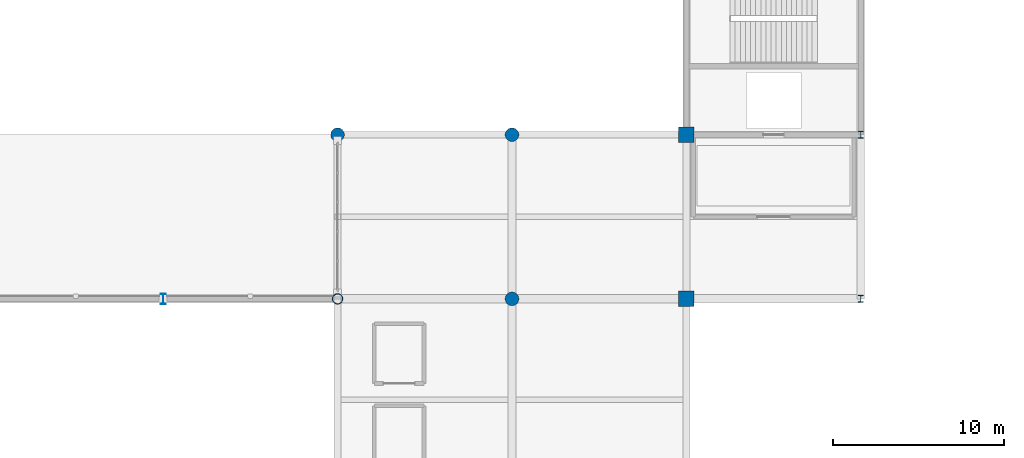
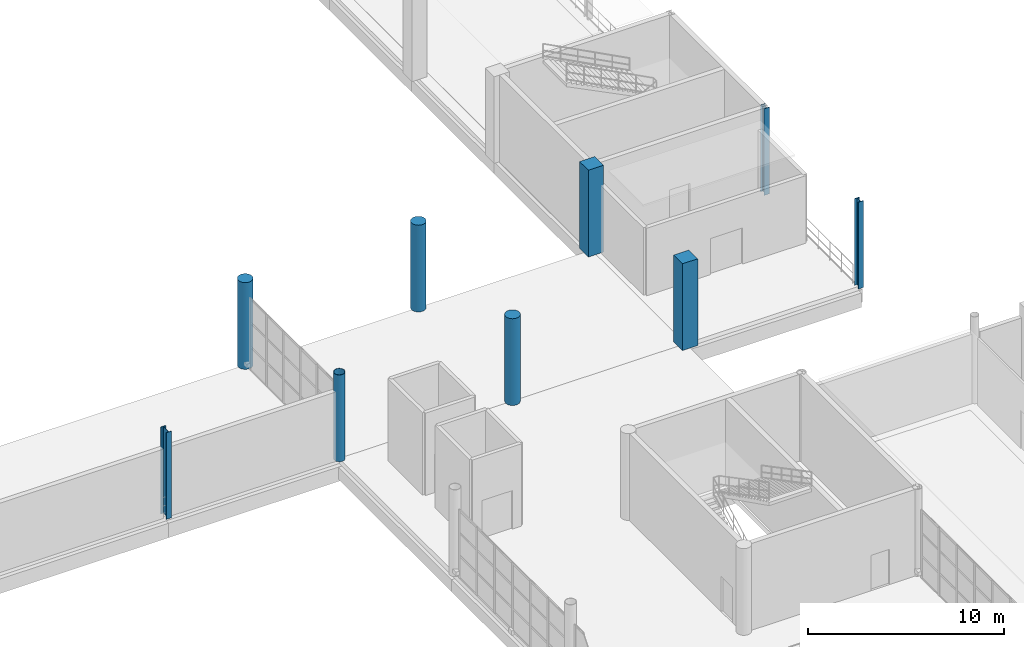
# One storey, part 14 of 175: 9 columns.
"""IFC4 building model written with IfcOpenShell, lengths in metres."""

from ifc_helpers import new_model, si_unit, direction, frame, origin, origin_2d, place, context, subcontext, project, spatial, rectangle, circle, hollow_circle, i_section, extrude, material, material_profile, profile_set, type_object, element, save


model = new_model("IFC4")

# Units and contexts
model_context = context("Model", 3, precision=1e-05, world=origin(), true_north=direction((0.0, 1.0)))
body_context = subcontext(model_context, "Body", "Model", "MODEL_VIEW")
ifc_project = project(units=[si_unit("LENGTHUNIT", "METRE"), si_unit("AREAUNIT", "SQUARE_METRE"), si_unit("VOLUMEUNIT", "CUBIC_METRE"), si_unit("PLANEANGLEUNIT", "RADIAN"), si_unit("MASSUNIT", "GRAM", prefix="KILO")], contexts=[model_context])

# Site, building, storey
site_placement = place(None, origin())
site = spatial("IfcSite", under=ifc_project, at=site_placement, CompositionType="ELEMENT")
building_placement = place(site_placement, origin())
building = spatial("IfcBuilding", under=site, at=building_placement, Name="Brelvane Convention Centre", CompositionType="ELEMENT")
storey_placement = place(building_placement, frame((0.0, 0.0, 5.39990234375)))
storey = spatial("IfcBuildingStorey", under=building, at=storey_placement, Name="L01", CompositionType="ELEMENT", Elevation=5.39990234375)

# Columns
ifc_material_1 = material(Name="Concrete M50", Category="concrete")
ifc_material_profile_1 = material_profile(ifc_material_1, rectangle(XDim=0.89990234375, YDim=0.89990234375, at=origin_2d()), Name="RC 900x900")
ifc_profile_set_1 = profile_set([ifc_material_profile_1], Name="Concrete M50")
column_type_1 = type_object("IfcColumnType", Name="RC Column C-RC2 (RC 900x900)", PredefinedType="COLUMN", material=ifc_profile_set_1)
for number, where, z_axis, x_axis, name in (
    (1, (163.199951171875, 99.60009765625, 0.0), (0.0, 0.0, 1.0), (1.0, 0.0, 0.0), "Column 17-K (L01)"),
    (2, (163.199951171875, 109.199951171875, 0.0), (0.0, 0.0, 1.0), (1.0, 0.0, 0.0), "Column 17-L (L01)"),
):
    element("IfcColumn", number, at=place(storey_placement, frame(where, z_axis=z_axis, x_axis=x_axis)), inside=storey, type_object=column_type_1, Name=name, PredefinedType="COLUMN", context=body_context, shape_type="SweptSolid", body=[
        extrude(rectangle(XDim=0.89990234375, YDim=0.89990234375, at=origin_2d()), origin(), (0.0, 0.0, 1.0), 5.400146484375),
    ])
ifc_material_2 = material(Name="Concrete M50", Category="concrete")
ifc_material_profile_2 = material_profile(ifc_material_2, circle(Radius=0.39990234375, at=origin_2d()), Name="RC-CIRC D800")
ifc_profile_set_2 = profile_set([ifc_material_profile_2], Name="Concrete M50")
column_type_2 = type_object("IfcColumnType", Name="RC Column C-RC7 (RC-CIRC D800)", PredefinedType="COLUMN", material=ifc_profile_set_2)
for number, where, z_axis, x_axis, name in (
    (3, (142.800048828125, 109.199951171875, 0.0), (0.0, 0.0, 1.0), (1.0, 0.0, 0.0), "Column 15-L (L01)"),
    (4, (153.0, 99.60009765625, 0.0), (0.0, 0.0, 1.0), (1.0, 0.0, 0.0), "Column 16-K (L01)"),
    (5, (153.0, 109.199951171875, 0.0), (0.0, 0.0, 1.0), (1.0, 0.0, 0.0), "Column 16-L (L01)"),
):
    element("IfcColumn", number, at=place(storey_placement, frame(where, z_axis=z_axis, x_axis=x_axis)), inside=storey, type_object=column_type_2, Name=name, PredefinedType="COLUMN", context=body_context, shape_type="SweptSolid", body=[
        extrude(circle(Radius=0.39990234375, at=origin_2d()), origin(), (0.0, 0.0, 1.0), 5.400146484375),
    ])
ifc_material_3 = material(Name="Steel E450 (450 MPa)", Category="steel")
ifc_material_profile_3 = material_profile(ifc_material_3, hollow_circle(Radius=0.304931640625, WallThickness=0.02490234375, at=origin_2d()), Name="CHS 610.0x25.0")
ifc_profile_set_3 = profile_set([ifc_material_profile_3], Name="Steel E450 (450 MPa)")
column_type_3 = type_object("IfcColumnType", Name="Steel Column C-ST1 (CHS 610.0x25.0)", PredefinedType="COLUMN", material=ifc_profile_set_3)
column_1_placement = place(storey_placement, frame((142.800048828125, 99.60009765625, 0.0), z_axis=(0.0, 0.0, 1.0), x_axis=(1.0, 0.0, 0.0)))
element("IfcColumn", 6, at=column_1_placement, inside=storey, type_object=column_type_3, Name="Column 15-K (L01)", PredefinedType="COLUMN", context=body_context, shape_type="SweptSolid", body=[
    extrude(hollow_circle(Radius=0.304931640625, WallThickness=0.02490234375, at=origin_2d()), origin(), (0.0, 0.0, 1.0), 5.400146484375),
])
ifc_material_4 = material(Name="Steel E450 (450 MPa)", Category="steel")
ifc_material_profile_4 = material_profile(ifc_material_4, i_section(OverallWidth=0.300048828125, OverallDepth=0.60009765625, WebThickness=0.015380859375, FlangeThickness=0.030029296875, FilletRadius=0.027099609375, at=origin_2d()), Name="WPB 600x300")
ifc_profile_set_4 = profile_set([ifc_material_profile_4], Name="Steel E450 (450 MPa)")
column_type_4 = type_object("IfcColumnType", Name="Steel Column C-ST5 (WPB 600x300)", PredefinedType="COLUMN", material=ifc_profile_set_4)
column_2_placement = place(storey_placement, frame((132.60009765625, 99.60009765625, 0.0), z_axis=(0.0, 0.0, 1.0), x_axis=(1.0, 0.0, 0.0)))
element("IfcColumn", 7, at=column_2_placement, inside=storey, type_object=column_type_4, Name="Column 14-K (L01)", PredefinedType="COLUMN", context=body_context, shape_type="SweptSolid", body=[
    extrude(i_section(OverallWidth=0.300048828125, OverallDepth=0.60009765625, WebThickness=0.015380859375, FlangeThickness=0.030029296875, FilletRadius=0.027099609375, at=origin_2d()), origin(), (0.0, 0.0, 1.0), 5.400146484375),
])
ifc_material_5 = material(Name="Steel E350 (350 MPa)", Category="steel")
ifc_material_profile_5 = material_profile(ifc_material_5, i_section(OverallWidth=0.300048828125, OverallDepth=0.39990234375, WebThickness=0.013427734375, FlangeThickness=0.02392578125, FilletRadius=0.027099609375, at=origin_2d()), Name="WPB 400x300")
ifc_profile_set_5 = profile_set([ifc_material_profile_5], Name="Steel E350 (350 MPa)")
column_type_5 = type_object("IfcColumnType", Name="Steel Column C-ST7 (WPB 400x300)", PredefinedType="COLUMN", material=ifc_profile_set_5)
for number, where, z_axis, x_axis, name in (
    (8, (173.39990234375, 99.60009765625, 0.0), (0.0, 0.0, 1.0), (1.0, 0.0, 0.0), "Column 18-K (L01)"),
    (9, (173.39990234375, 109.199951171875, 0.0), (0.0, 0.0, 1.0), (1.0, 0.0, 0.0), "Column 18-L (L01)"),
):
    element("IfcColumn", number, at=place(storey_placement, frame(where, z_axis=z_axis, x_axis=x_axis)), inside=storey, type_object=column_type_5, Name=name, PredefinedType="COLUMN", context=body_context, shape_type="SweptSolid", body=[
        extrude(i_section(OverallWidth=0.300048828125, OverallDepth=0.39990234375, WebThickness=0.013427734375, FlangeThickness=0.02392578125, FilletRadius=0.027099609375, at=origin_2d()), origin(), (0.0, 0.0, 1.0), 5.400146484375),
    ])

save(model, "model.ifc")
